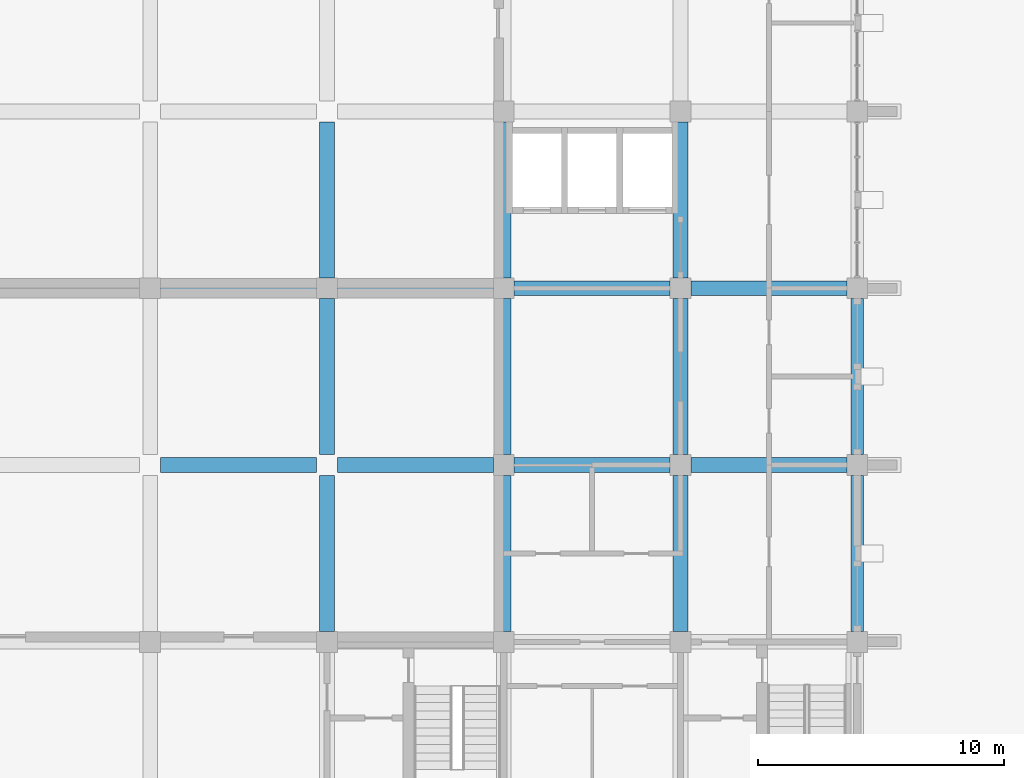
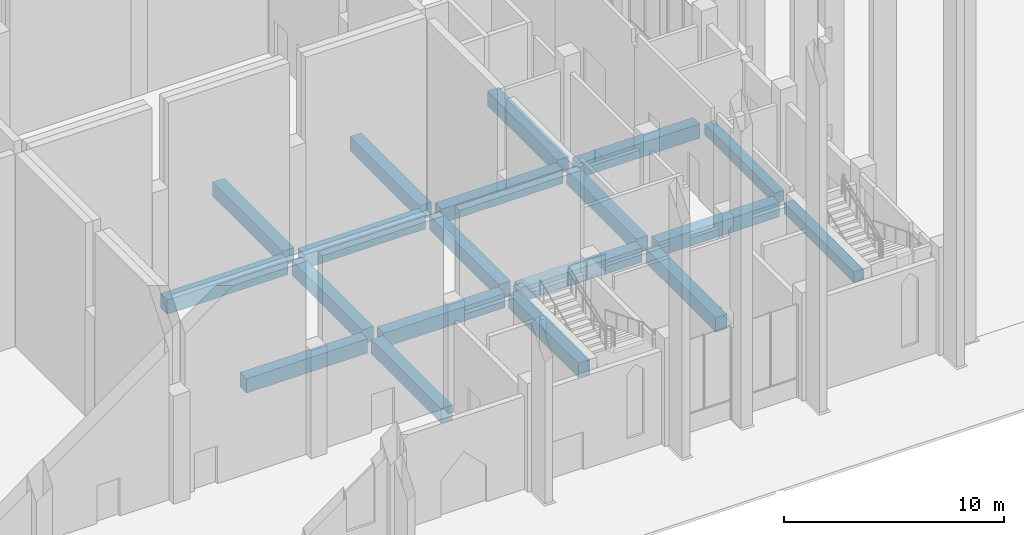
# One storey, part 17 of 50: 19 beams.
"""IFC4 building model written with IfcOpenShell, lengths in metres."""

from ifc_helpers import new_model, si_unit, direction, frame, origin, origin_2d, place, context, subcontext, project, spatial, rectangle, extrude, material, material_profile, profile_set, type_object, element, save


model = new_model("IFC4")

# Units and contexts
model_context = context("Model", 3, precision=1e-05, world=origin(), true_north=direction((0.0, 1.0)))
body_context = subcontext(model_context, "Body", "Model", "MODEL_VIEW")
ifc_project = project(units=[si_unit("LENGTHUNIT", "METRE"), si_unit("AREAUNIT", "SQUARE_METRE"), si_unit("VOLUMEUNIT", "CUBIC_METRE"), si_unit("PLANEANGLEUNIT", "RADIAN"), si_unit("MASSUNIT", "GRAM", prefix="KILO")], contexts=[model_context])

# Site, building, storey
site_placement = place(None, origin())
site = spatial("IfcSite", under=ifc_project, at=site_placement, CompositionType="ELEMENT")
building_placement = place(site_placement, origin())
building = spatial("IfcBuilding", under=site, at=building_placement, Name="Silangan Lancet Faculty of Sciences", CompositionType="ELEMENT")
storey_placement = place(building_placement, origin())
storey = spatial("IfcBuildingStorey", under=building, at=storey_placement, Name="L00", CompositionType="ELEMENT", Elevation=0.0)

# Beams
ifc_material_1 = material(Name="Concrete C40/50", Category="concrete")
ifc_material_profile_1 = material_profile(ifc_material_1, rectangle(XDim=0.5, YDim=0.60009765625, at=origin_2d()), Name="RC 500x600")
ifc_profile_set_1 = profile_set([ifc_material_profile_1], Name="Concrete C40/50")
beam_type_1 = type_object("IfcBeamType", Name="BEAM RC 500x600", PredefinedType="BEAM", material=ifc_profile_set_1)
for number, where, z_axis, x_axis, name in (
    (1, (86.39990234375, 7.625, -0.60009765625), (0.0, 1.0, 0.0), (-1.0, 0.0, 0.0), "BM-L00-13B-13C"),
    (2, (86.39990234375, 14.824951171875, -0.60009765625), (0.0, 1.0, 0.0), (-1.0, 0.0, 0.0), "BM-L00-13C-13D"),
):
    element("IfcBeam", number, at=place(storey_placement, frame(where, z_axis=z_axis, x_axis=x_axis)), inside=storey, type_object=beam_type_1, Name=name, PredefinedType="BEAM", context=body_context, shape_type="SweptSolid", body=[
        extrude(rectangle(XDim=0.5, YDim=0.60009765625, at=origin_2d()), origin(), (0.0, 0.0, 1.0), 6.35009765625),
    ])
ifc_material_2 = material(Name="Concrete C40/50", Category="concrete")
ifc_material_profile_2 = material_profile(ifc_material_2, rectangle(XDim=0.60009765625, YDim=0.800048828125, at=origin_2d()), Name="RC 600x800")
ifc_profile_set_2 = profile_set([ifc_material_profile_2], Name="Concrete C40/50")
beam_type_2 = type_object("IfcBeamType", Name="BEAM RC 600x800", PredefinedType="BEAM", material=ifc_profile_set_2)
beam_placement = place(storey_placement, frame((58.02490234375, 14.39990234375, -0.699951171875), z_axis=(1.0, 0.0, 0.0), x_axis=(0.0, 1.0, 0.0)))
element("IfcBeam", 3, at=beam_placement, inside=storey, type_object=beam_type_2, Name="BM-L00-9C-10C", PredefinedType="BEAM", context=body_context, shape_type="SweptSolid", body=[
    extrude(rectangle(XDim=0.60009765625, YDim=0.800048828125, at=origin_2d()), origin(), (0.0, 0.0, 1.0), 6.35009765625),
])
for number, where, z_axis, x_axis, name in (
    (4, (65.22509765625, 14.39990234375, -0.699951171875), (1.0, 0.0, 0.0), (0.0, 1.0, 0.0), "BM-L00-10C-11C"),
    (5, (72.425048828125, 14.39990234375, -0.699951171875), (1.0, 0.0, 0.0), (0.0, 1.0, 0.0), "BM-L00-11C-12C"),
):
    element("IfcBeam", number, at=place(storey_placement, frame(where, z_axis=z_axis, x_axis=x_axis)), inside=storey, type_object=beam_type_2, Name=name, PredefinedType="BEAM", context=body_context, shape_type="SweptSolid", body=[
        extrude(rectangle(XDim=0.60009765625, YDim=0.800048828125, at=origin_2d()), origin(), (0.0, 0.0, 1.0), 6.349853515625),
    ])
for number, where, z_axis, x_axis, name in (
    (6, (79.625, 14.39990234375, -0.699951171875), (1.0, 0.0, 0.0), (0.0, 1.0, 0.0), "BM-L00-12C-13C"),
    (7, (58.02490234375, 21.60009765625, -0.699951171875), (1.0, 0.0, 0.0), (0.0, 1.0, 0.0), "BM-L00-9D-10D"),
):
    element("IfcBeam", number, at=place(storey_placement, frame(where, z_axis=z_axis, x_axis=x_axis)), inside=storey, type_object=beam_type_2, Name=name, PredefinedType="BEAM", context=body_context, shape_type="SweptSolid", body=[
        extrude(rectangle(XDim=0.60009765625, YDim=0.800048828125, at=origin_2d()), origin(), (0.0, 0.0, 1.0), 6.35009765625),
    ])
for number, where, z_axis, x_axis, name in (
    (8, (65.22509765625, 21.60009765625, -0.699951171875), (1.0, 0.0, 0.0), (0.0, 1.0, 0.0), "BM-L00-10D-11D"),
    (9, (72.425048828125, 21.60009765625, -0.699951171875), (1.0, 0.0, 0.0), (0.0, 1.0, 0.0), "BM-L00-11D-12D"),
):
    element("IfcBeam", number, at=place(storey_placement, frame(where, z_axis=z_axis, x_axis=x_axis)), inside=storey, type_object=beam_type_2, Name=name, PredefinedType="BEAM", context=body_context, shape_type="SweptSolid", body=[
        extrude(rectangle(XDim=0.60009765625, YDim=0.800048828125, at=origin_2d()), origin(), (0.0, 0.0, 1.0), 6.349853515625),
    ])
for number, where, z_axis, x_axis, name in (
    (10, (79.625, 21.60009765625, -0.699951171875), (1.0, 0.0, 0.0), (0.0, 1.0, 0.0), "BM-L00-12D-13D"),
    (11, (64.800048828125, 7.625, -0.699951171875), (0.0, 1.0, 0.0), (-1.0, 0.0, 0.0), "BM-L00-10B-10C"),
    (12, (64.800048828125, 14.824951171875, -0.699951171875), (0.0, 1.0, 0.0), (-1.0, 0.0, 0.0), "BM-L00-10C-10D"),
    (13, (64.800048828125, 22.02490234375, -0.699951171875), (0.0, 1.0, 0.0), (-1.0, 0.0, 0.0), "BM-L00-10D-10E"),
    (14, (72.0, 7.625, -0.699951171875), (0.0, 1.0, 0.0), (-1.0, 0.0, 0.0), "BM-L00-11B-11C"),
    (15, (72.0, 14.824951171875, -0.699951171875), (0.0, 1.0, 0.0), (-1.0, 0.0, 0.0), "BM-L00-11C-11D"),
    (16, (72.0, 22.02490234375, -0.699951171875), (0.0, 1.0, 0.0), (-1.0, 0.0, 0.0), "BM-L00-11D-11E"),
    (17, (79.199951171875, 7.625, -0.699951171875), (0.0, 1.0, 0.0), (-1.0, 0.0, 0.0), "BM-L00-12B-12C"),
    (18, (79.199951171875, 14.824951171875, -0.699951171875), (0.0, 1.0, 0.0), (-1.0, 0.0, 0.0), "BM-L00-12C-12D"),
    (19, (79.199951171875, 22.02490234375, -0.699951171875), (0.0, 1.0, 0.0), (-1.0, 0.0, 0.0), "BM-L00-12D-12E"),
):
    element("IfcBeam", number, at=place(storey_placement, frame(where, z_axis=z_axis, x_axis=x_axis)), inside=storey, type_object=beam_type_2, Name=name, PredefinedType="BEAM", context=body_context, shape_type="SweptSolid", body=[
        extrude(rectangle(XDim=0.60009765625, YDim=0.800048828125, at=origin_2d()), origin(), (0.0, 0.0, 1.0), 6.35009765625),
    ])

save(model, "model.ifc")
